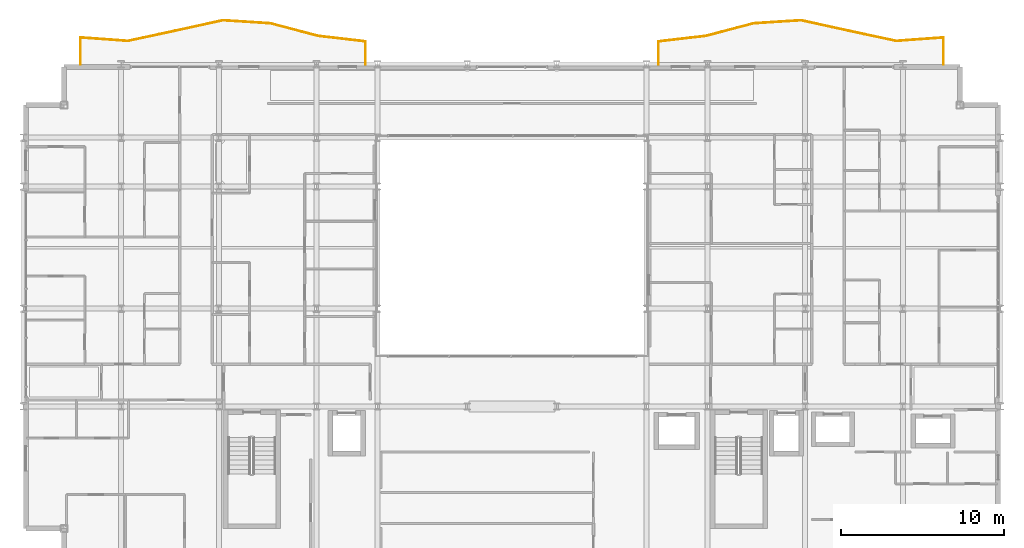
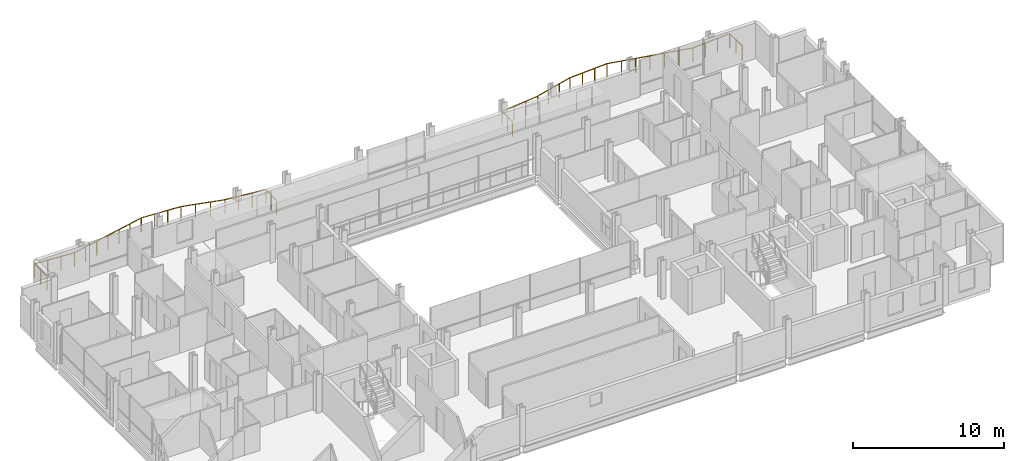
# One storey, part 40 of 40: 2 railings.
"""IFC4 building model written with IfcOpenShell, lengths in metres."""

from ifc_helpers import new_model, si_unit, direction, frame, origin, origin_2d, place, context, subcontext, project, spatial, circle, extrude, material, type_object, element, save


model = new_model("IFC4")

# Units and contexts
model_context = context("Model", 3, precision=1e-05, world=origin(), true_north=direction((0.0, 1.0)))
body_context = subcontext(model_context, "Body", "Model", "MODEL_VIEW")
ifc_project = project(units=[si_unit("LENGTHUNIT", "METRE"), si_unit("AREAUNIT", "SQUARE_METRE"), si_unit("VOLUMEUNIT", "CUBIC_METRE"), si_unit("PLANEANGLEUNIT", "RADIAN"), si_unit("MASSUNIT", "GRAM", prefix="KILO")], contexts=[model_context])

# Site, building, storey
site_placement = place(None, origin())
site = spatial("IfcSite", under=ifc_project, at=site_placement, CompositionType="ELEMENT")
building_placement = place(site_placement, origin())
building = spatial("IfcBuilding", under=site, at=building_placement, Name="Brevholm Reach", CompositionType="ELEMENT")
storey_placement = place(building_placement, frame((0.0, 0.0, 62.10009765625)))
storey = spatial("IfcBuildingStorey", under=building, at=storey_placement, Name="L17", CompositionType="ELEMENT", Elevation=62.10009765625)

# Railings
ifc_material = material(Name="Brushed Stainless Steel EN 1.4401 and Laminated Glass", Category="steel")
railing_type = type_object("IfcRailingType", Name="RAL-BALC-1150", PredefinedType="BALUSTRADE", material=ifc_material)
railing_1_placement = place(storey_placement, frame((56.5, 31.0, 0.0)))
element("IfcRailing", 1, at=railing_1_placement, inside=storey, type_object=railing_type, Name="L17 Guard Balustrade RAL-L17-BAL-NE", PredefinedType="BALUSTRADE", context=body_context, shape_type="SweptSolid", body=[
    extrude(circle(Radius=0.02392578125, at=origin_2d()), frame((0.0, 0.0, 1.1259765625), z_axis=(0.0, 1.0, 0.0), x_axis=(-1.0, 0.0, 0.0)), (0.0, 0.0, 1.0), 1.650146484375),
    extrude(circle(Radius=0.02392578125, at=origin_2d()), frame((0.0, 1.650146484375, 1.1259765625), z_axis=(-0.997334760815, -0.072961461535, 0.0), x_axis=(0.072961461535, -0.997334760815, 0.0)), (0.0, 0.0, 1.0), 2.924560546875),
    extrude(circle(Radius=0.02392578125, at=origin_2d()), frame((-2.916748046875, 1.436767578125, 1.1259765625), z_axis=(-0.977699293222, 0.21000974271, 0.0), x_axis=(-0.21000974271, -0.977699293222, 0.0)), (0.0, 0.0, 1.0), 2.98291015625),
    extrude(circle(Radius=0.02392578125, at=origin_2d()), frame((-5.833251953125, 2.063232421875, 1.1259765625), z_axis=(-0.976633143635, 0.214913244715, 0.0), x_axis=(-0.214913244715, -0.976633143635, 0.0)), (0.0, 0.0, 1.0), 2.986572265625),
    extrude(circle(Radius=0.02392578125, at=origin_2d()), frame((-8.75, 2.705078125, 1.1259765625), z_axis=(-0.997945514781, -0.06406831923, 0.0), x_axis=(0.06406831923, -0.997945514781, 0.0)), (0.0, 0.0, 1.0), 2.9228515625),
    extrude(circle(Radius=0.02392578125, at=origin_2d()), frame((-11.666748046875, 2.517822265625, 1.1259765625), z_axis=(-0.966868735292, -0.255274065889, 0.0), x_axis=(0.255274065889, -0.966868735292, 0.0)), (0.0, 0.0, 1.0), 3.016357421875),
    extrude(circle(Radius=0.02392578125, at=origin_2d()), frame((-14.583251953125, 1.747802734375, 1.1259765625), z_axis=(-0.99329006652, -0.11564965954, 0.0), x_axis=(0.11564965954, -0.99329006652, 0.0)), (0.0, 0.0, 1.0), 2.9365234375),
    extrude(circle(Radius=0.02392578125, at=origin_2d()), frame((-17.5, 1.408203125, 1.1259765625), z_axis=(0.0, -1.0, 0.0), x_axis=(1.0, 0.0, 0.0)), (0.0, 0.0, 1.0), 1.408203125),
    extrude(circle(Radius=0.02099609375, at=origin_2d()), origin(), (0.0, 0.0, 1.0), 1.101806640625),
    extrude(circle(Radius=0.02099609375, at=origin_2d()), frame((0.0, 0.8251953125, 0.0)), (0.0, 0.0, 1.0), 1.101806640625),
    extrude(circle(Radius=0.02099609375, at=origin_2d()), frame((0.0, 1.650146484375, 0.0)), (0.0, 0.0, 1.0), 1.101806640625),
    extrude(circle(Radius=0.02099609375, at=origin_2d()), frame((-0.97216796875, 1.5791015625, 0.0)), (0.0, 0.0, 1.0), 1.101806640625),
    extrude(circle(Radius=0.02099609375, at=origin_2d()), frame((-1.944580078125, 1.5078125, 0.0)), (0.0, 0.0, 1.0), 1.101806640625),
    extrude(circle(Radius=0.02099609375, at=origin_2d()), frame((-2.916748046875, 1.436767578125, 0.0)), (0.0, 0.0, 1.0), 1.101806640625),
    extrude(circle(Radius=0.02099609375, at=origin_2d()), frame((-3.888916015625, 1.6455078125, 0.0)), (0.0, 0.0, 1.0), 1.101806640625),
    extrude(circle(Radius=0.02099609375, at=origin_2d()), frame((-4.861083984375, 1.8544921875, 0.0)), (0.0, 0.0, 1.0), 1.101806640625),
    extrude(circle(Radius=0.02099609375, at=origin_2d()), frame((-5.833251953125, 2.063232421875, 0.0)), (0.0, 0.0, 1.0), 1.101806640625),
    extrude(circle(Radius=0.02099609375, at=origin_2d()), frame((-6.805419921875, 2.277099609375, 0.0)), (0.0, 0.0, 1.0), 1.101806640625),
    extrude(circle(Radius=0.02099609375, at=origin_2d()), frame((-7.77783203125, 2.4912109375, 0.0)), (0.0, 0.0, 1.0), 1.101806640625),
    extrude(circle(Radius=0.02099609375, at=origin_2d()), frame((-8.75, 2.705078125, 0.0)), (0.0, 0.0, 1.0), 1.101806640625),
    extrude(circle(Radius=0.02099609375, at=origin_2d()), frame((-9.72216796875, 2.642578125, 0.0)), (0.0, 0.0, 1.0), 1.101806640625),
    extrude(circle(Radius=0.02099609375, at=origin_2d()), frame((-10.694580078125, 2.580322265625, 0.0)), (0.0, 0.0, 1.0), 1.101806640625),
    extrude(circle(Radius=0.02099609375, at=origin_2d()), frame((-11.666748046875, 2.517822265625, 0.0)), (0.0, 0.0, 1.0), 1.101806640625),
    extrude(circle(Radius=0.02099609375, at=origin_2d()), frame((-12.638916015625, 2.26123046875, 0.0)), (0.0, 0.0, 1.0), 1.101806640625),
    extrude(circle(Radius=0.02099609375, at=origin_2d()), frame((-13.611083984375, 2.00439453125, 0.0)), (0.0, 0.0, 1.0), 1.101806640625),
    extrude(circle(Radius=0.02099609375, at=origin_2d()), frame((-14.583251953125, 1.747802734375, 0.0)), (0.0, 0.0, 1.0), 1.101806640625),
    extrude(circle(Radius=0.02099609375, at=origin_2d()), frame((-15.555419921875, 1.634521484375, 0.0)), (0.0, 0.0, 1.0), 1.101806640625),
    extrude(circle(Radius=0.02099609375, at=origin_2d()), frame((-16.52783203125, 1.521484375, 0.0)), (0.0, 0.0, 1.0), 1.101806640625),
    extrude(circle(Radius=0.02099609375, at=origin_2d()), frame((-17.5, 1.408203125, 0.0)), (0.0, 0.0, 1.0), 1.101806640625),
    extrude(circle(Radius=0.02099609375, at=origin_2d()), frame((-17.5, 0.7041015625, 0.0)), (0.0, 0.0, 1.0), 1.101806640625),
    extrude(circle(Radius=0.02099609375, at=origin_2d()), frame((-17.5, 0.0, 0.0)), (0.0, 0.0, 1.0), 1.101806640625),
])
railing_2_placement = place(storey_placement, frame((21.0, 31.0, 0.0)))
element("IfcRailing", 2, at=railing_2_placement, inside=storey, type_object=railing_type, Name="L17 Guard Balustrade RAL-L17-BAL-NW", PredefinedType="BALUSTRADE", context=body_context, shape_type="SweptSolid", body=[
    extrude(circle(Radius=0.02392578125, at=origin_2d()), frame((0.0, 0.0, 1.1259765625), z_axis=(0.0, 1.0, 0.0), x_axis=(-1.0, 0.0, 0.0)), (0.0, 0.0, 1.0), 1.408203125),
    extrude(circle(Radius=0.02392578125, at=origin_2d()), frame((0.0, 1.408203125, 1.1259765625), z_axis=(-0.99329006652, 0.11564965954, 0.0), x_axis=(-0.11564965954, -0.99329006652, 0.0)), (0.0, 0.0, 1.0), 2.9365234375),
    extrude(circle(Radius=0.02392578125, at=origin_2d()), frame((-2.916748046875, 1.747802734375, 1.1259765625), z_axis=(-0.966868735292, 0.255274065889, 0.0), x_axis=(-0.255274065889, -0.966868735292, 0.0)), (0.0, 0.0, 1.0), 3.016357421875),
    extrude(circle(Radius=0.02392578125, at=origin_2d()), frame((-5.833251953125, 2.517822265625, 1.1259765625), z_axis=(-0.997945514781, 0.06406831923, 0.0), x_axis=(-0.06406831923, -0.997945514781, 0.0)), (0.0, 0.0, 1.0), 2.9228515625),
    extrude(circle(Radius=0.02392578125, at=origin_2d()), frame((-8.75, 2.705078125, 1.1259765625), z_axis=(-0.976633143635, -0.214913244715, 0.0), x_axis=(0.214913244715, -0.976633143635, 0.0)), (0.0, 0.0, 1.0), 2.986572265625),
    extrude(circle(Radius=0.02392578125, at=origin_2d()), frame((-11.666748046875, 2.063232421875, 1.1259765625), z_axis=(-0.977699293222, -0.21000974271, 0.0), x_axis=(0.21000974271, -0.977699293222, 0.0)), (0.0, 0.0, 1.0), 2.98291015625),
    extrude(circle(Radius=0.02392578125, at=origin_2d()), frame((-14.583251953125, 1.436767578125, 1.1259765625), z_axis=(-0.997334760815, 0.072961461535, 0.0), x_axis=(-0.072961461535, -0.997334760815, 0.0)), (0.0, 0.0, 1.0), 2.924560546875),
    extrude(circle(Radius=0.02392578125, at=origin_2d()), frame((-17.5, 1.650146484375, 1.1259765625), z_axis=(0.0, -1.0, 0.0), x_axis=(1.0, 0.0, 0.0)), (0.0, 0.0, 1.0), 1.650146484375),
    extrude(circle(Radius=0.02099609375, at=origin_2d()), origin(), (0.0, 0.0, 1.0), 1.101806640625),
    extrude(circle(Radius=0.02099609375, at=origin_2d()), frame((0.0, 0.7041015625, 0.0)), (0.0, 0.0, 1.0), 1.101806640625),
    extrude(circle(Radius=0.02099609375, at=origin_2d()), frame((0.0, 1.408203125, 0.0)), (0.0, 0.0, 1.0), 1.101806640625),
    extrude(circle(Radius=0.02099609375, at=origin_2d()), frame((-0.97216796875, 1.521484375, 0.0)), (0.0, 0.0, 1.0), 1.101806640625),
    extrude(circle(Radius=0.02099609375, at=origin_2d()), frame((-1.944580078125, 1.634521484375, 0.0)), (0.0, 0.0, 1.0), 1.101806640625),
    extrude(circle(Radius=0.02099609375, at=origin_2d()), frame((-2.916748046875, 1.747802734375, 0.0)), (0.0, 0.0, 1.0), 1.101806640625),
    extrude(circle(Radius=0.02099609375, at=origin_2d()), frame((-3.888916015625, 2.00439453125, 0.0)), (0.0, 0.0, 1.0), 1.101806640625),
    extrude(circle(Radius=0.02099609375, at=origin_2d()), frame((-4.861083984375, 2.26123046875, 0.0)), (0.0, 0.0, 1.0), 1.101806640625),
    extrude(circle(Radius=0.02099609375, at=origin_2d()), frame((-5.833251953125, 2.517822265625, 0.0)), (0.0, 0.0, 1.0), 1.101806640625),
    extrude(circle(Radius=0.02099609375, at=origin_2d()), frame((-6.805419921875, 2.580322265625, 0.0)), (0.0, 0.0, 1.0), 1.101806640625),
    extrude(circle(Radius=0.02099609375, at=origin_2d()), frame((-7.77783203125, 2.642578125, 0.0)), (0.0, 0.0, 1.0), 1.101806640625),
    extrude(circle(Radius=0.02099609375, at=origin_2d()), frame((-8.75, 2.705078125, 0.0)), (0.0, 0.0, 1.0), 1.101806640625),
    extrude(circle(Radius=0.02099609375, at=origin_2d()), frame((-9.72216796875, 2.4912109375, 0.0)), (0.0, 0.0, 1.0), 1.101806640625),
    extrude(circle(Radius=0.02099609375, at=origin_2d()), frame((-10.694580078125, 2.277099609375, 0.0)), (0.0, 0.0, 1.0), 1.101806640625),
    extrude(circle(Radius=0.02099609375, at=origin_2d()), frame((-11.666748046875, 2.063232421875, 0.0)), (0.0, 0.0, 1.0), 1.101806640625),
    extrude(circle(Radius=0.02099609375, at=origin_2d()), frame((-12.638916015625, 1.8544921875, 0.0)), (0.0, 0.0, 1.0), 1.101806640625),
    extrude(circle(Radius=0.02099609375, at=origin_2d()), frame((-13.611083984375, 1.6455078125, 0.0)), (0.0, 0.0, 1.0), 1.101806640625),
    extrude(circle(Radius=0.02099609375, at=origin_2d()), frame((-14.583251953125, 1.436767578125, 0.0)), (0.0, 0.0, 1.0), 1.101806640625),
    extrude(circle(Radius=0.02099609375, at=origin_2d()), frame((-15.555419921875, 1.5078125, 0.0)), (0.0, 0.0, 1.0), 1.101806640625),
    extrude(circle(Radius=0.02099609375, at=origin_2d()), frame((-16.52783203125, 1.5791015625, 0.0)), (0.0, 0.0, 1.0), 1.101806640625),
    extrude(circle(Radius=0.02099609375, at=origin_2d()), frame((-17.5, 1.650146484375, 0.0)), (0.0, 0.0, 1.0), 1.101806640625),
    extrude(circle(Radius=0.02099609375, at=origin_2d()), frame((-17.5, 0.8251953125, 0.0)), (0.0, 0.0, 1.0), 1.101806640625),
    extrude(circle(Radius=0.02099609375, at=origin_2d()), frame((-17.5, 0.0, 0.0)), (0.0, 0.0, 1.0), 1.101806640625),
])

save(model, "model.ifc")
